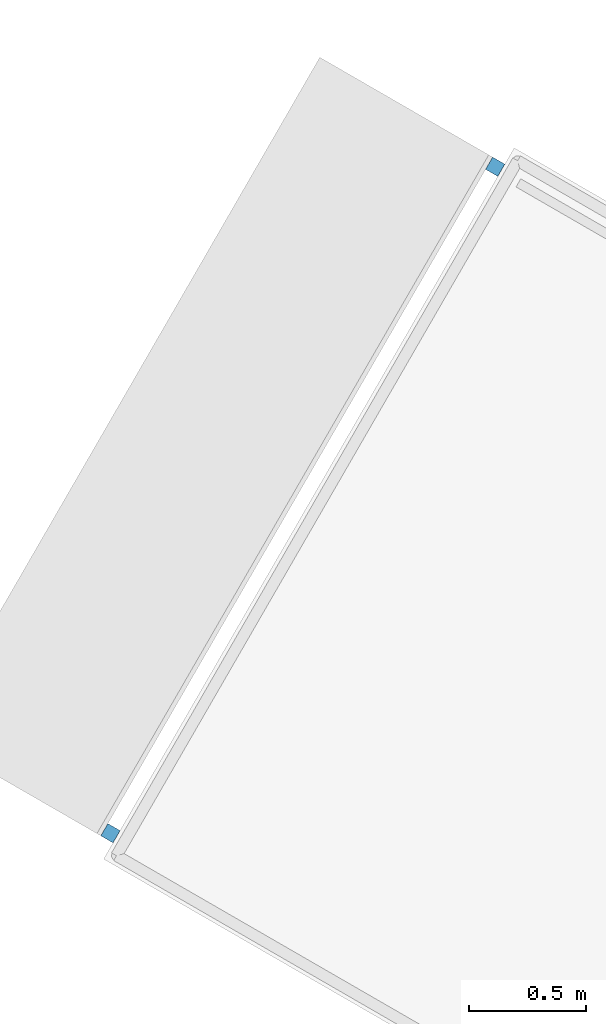
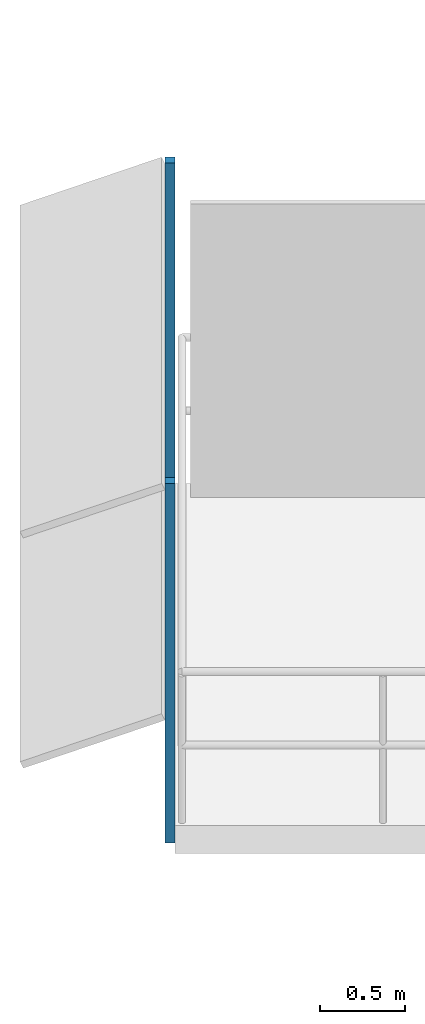
# One storey, part 11 of 14: 2 discrete accessories.
"""IFC4 building model written with IfcOpenShell, lengths in metres."""

import ifcopenshell
import ifcopenshell.guid

model = None  # the IFC model being written
_history = None  # IfcOwnerHistory: only IFC2X3 demands one
_inside = {}  # id of a spatial element -> (the spatial element, [elements in it])
_under = {}  # id of a project, library or spatial element -> (it, [spatial elements below it])
_declared = {}  # id of a project -> (the project, [libraries it declares])
_typed = {}  # id of a type object -> (the type object, [elements of that type])
_made_of = {}  # id of a material, layer set ... -> (it, [elements and type objects made of it])


def new_model(schema):
    """Start an empty IFC model of exactly this schema.

    Asked for "IFC4X3", IfcOpenShell would pick the latest addendum, in which some entities
    have other attributes; the version numbers below select the first issue.
    IFC2X3 requires an IfcOwnerHistory on every rooted entity: one is made here for all.
    """
    global model, _history
    if schema == "IFC4X3":
        model = ifcopenshell.file(schema_version=(4, 3, 0, 0))
    else:
        model = ifcopenshell.file(schema=schema)
    _inside.clear()
    _under.clear()
    _declared.clear()
    _typed.clear()
    _made_of.clear()
    _history = None
    if model.schema == "IFC2X3":
        org = make("IfcOrganization", Name="unknown")
        user = make(
            "IfcPersonAndOrganization",
            ThePerson=make("IfcPerson", FamilyName="unknown"),
            TheOrganization=org,
        )
        app = make(
            "IfcApplication",
            ApplicationDeveloper=org,
            Version="unknown",
            ApplicationFullName="unknown",
            ApplicationIdentifier="unknown",
        )
        _history = make(
            "IfcOwnerHistory",
            OwningUser=user,
            OwningApplication=app,
            ChangeAction="ADDED",
            CreationDate=0,
        )
    return model


def make(cls, **values):
    """One entity of the class cls with the attributes given. An attribute that is None is left unset."""
    return model.create_entity(
        cls, **{name: value for name, value in values.items() if value is not None}
    )


def rooted(cls, **values):
    """An entity with a GlobalId (a new one), such as an element, a storey or a relation."""
    return make(cls, GlobalId=ifcopenshell.guid.new(), OwnerHistory=_history, **values)


def si_unit(unit_type, name, prefix=None):
    """IfcSIUnit, for example si_unit("LENGTHUNIT", "METRE", prefix="MILLI")."""
    return make("IfcSIUnit", UnitType=unit_type, Prefix=prefix, Name=name)


def assignment(units):
    """IfcUnitAssignment: the units of a project."""
    return None if units is None else make("IfcUnitAssignment", Units=units)


def point(xyz):
    """IfcCartesianPoint."""
    return None if xyz is None else make("IfcCartesianPoint", Coordinates=xyz)


def direction(xyz):
    """IfcDirection."""
    return None if xyz is None else make("IfcDirection", DirectionRatios=xyz)


def frame(location, z_axis=None, x_axis=None):
    """IfcAxis2Placement3D, a coordinate frame: its origin and axes. An axis left out is left unset."""
    return make(
        "IfcAxis2Placement3D",
        Location=point(location),
        Axis=direction(z_axis),
        RefDirection=direction(x_axis),
    )


def frame_2d(location, x_axis=None):
    """IfcAxis2Placement2D, a coordinate frame in the plane: its origin and x axis."""
    return make(
        "IfcAxis2Placement2D", Location=point(location), RefDirection=direction(x_axis)
    )


def origin():
    """The frame at (0, 0, 0) with its axes left unset."""
    return frame((0.0, 0.0, 0.0))


def origin_2d():
    """The frame at (0, 0) in the plane with its x axis left unset."""
    return frame_2d((0.0, 0.0))


def place(relative_to, where):
    """IfcLocalPlacement: puts the frame where relative to a parent placement (None: the world)."""
    return make(
        "IfcLocalPlacement", PlacementRelTo=relative_to, RelativePlacement=where
    )


def context(
    kind, dimensions, precision=None, world=None, true_north=None, identifier=None
):
    """IfcGeometricRepresentationContext, for example the 3D "Model" context."""
    return make(
        "IfcGeometricRepresentationContext",
        ContextIdentifier=identifier,
        ContextType=kind,
        CoordinateSpaceDimension=dimensions,
        Precision=precision,
        WorldCoordinateSystem=world,
        TrueNorth=true_north,
    )


def subcontext(parent, identifier, kind, view, scale=None):
    """IfcGeometricRepresentationSubContext, for example "Body" below "Model"."""
    return make(
        "IfcGeometricRepresentationSubContext",
        ContextIdentifier=identifier,
        ContextType=kind,
        ParentContext=parent,
        TargetScale=scale,
        TargetView=view,
    )


def project(units=None, contexts=None):
    """IfcProject with its units and contexts."""
    return rooted(
        "IfcProject",
        Name="project",
        RepresentationContexts=contexts,
        UnitsInContext=assignment(units),
    )


def spatial(cls, under=None, at=None, **own):
    """A site, building, storey or space (cls), placed at a placement, below another one or the project."""
    s = rooted(cls, ObjectPlacement=at, **own)
    if under is not None:
        _under.setdefault(under.id(), (under, []))[1].append(s)
    return s


def profile(cls, at=None, kind="AREA", **sizes):
    """A parametric profile (cls). Its sizes go by their IFC names, for example OverallWidth=200.0."""
    return make(cls, ProfileType=kind, Position=at, **sizes)


def rectangle(**sizes):
    """IfcRectangleProfileDef."""
    return profile("IfcRectangleProfileDef", **sizes)


def extrude(swept, where, along, depth):
    """IfcExtrudedAreaSolid: the profile swept, set in the frame where, extruded along a direction by depth."""
    return make(
        "IfcExtrudedAreaSolid",
        SweptArea=swept,
        Position=where,
        ExtrudedDirection=direction(along),
        Depth=depth,
    )


def shape(context_of_items, identifier, shape_type, items):
    """IfcShapeRepresentation: the items that make up one representation, for example the "Body"."""
    return make(
        "IfcShapeRepresentation",
        ContextOfItems=context_of_items,
        RepresentationIdentifier=identifier,
        RepresentationType=shape_type,
        Items=items,
    )


def material(Name=None, Category=None):
    """IfcMaterial."""
    return make("IfcMaterial", Name=Name, Category=Category)


def made_of(thing, what):
    """Note that an element or type object is made of a material, layer set ...; save() writes the relation."""
    if what is not None:
        _made_of.setdefault(what.id(), (what, []))[1].append(thing)
    return thing


def type_object(cls, material=None, **own):
    """A type object (cls), such as IfcWallType, which elements share."""
    return made_of(rooted(cls, **own), material)


def element(
    cls,
    number,
    at=None,
    inside=None,
    cuts=None,
    type_object=None,
    material=None,
    context=None,
    identifier="Body",
    shape_type=None,
    held_by="IfcProductDefinitionShape",
    body=None,
    shapes=None,
    **own,
):
    """One element of the class cls, such as IfcWall. Its Tag is "e" and its number.

    at: its placement. inside: the storey or other place that contains it. cuts: it is an
    opening in that element (IfcRelVoidsElement). A single representation is given by context,
    identifier, shape_type and body (its items); several are given by shapes. held_by: the class
    of the entity that holds the representations. save() writes the other relations.
    """
    e = rooted(cls, Tag="e%d" % number, ObjectPlacement=at, **own)
    if body is not None:
        shapes = [shape(context, identifier, shape_type, body)]
    if shapes is not None:
        e.Representation = make(held_by, Representations=shapes)
    if inside is not None:
        _inside.setdefault(inside.id(), (inside, []))[1].append(e)
    if cuts is not None:
        rooted(
            "IfcRelVoidsElement", RelatingBuildingElement=cuts, RelatedOpeningElement=e
        )
    if type_object is not None:
        _typed.setdefault(type_object.id(), (type_object, []))[1].append(e)
    return made_of(e, material)


def aggregate(whole, parts):
    """IfcRelAggregates: a whole, such as a stair, and the parts it consists of."""
    return rooted("IfcRelAggregates", RelatingObject=whole, RelatedObjects=parts)


def save(model, path):
    """Write the relations noted so far, then the file.

    IfcRelAggregates (storeys below a building ...), IfcRelContainedInSpatialStructure (elements
    in a storey), IfcRelDefinesByType, IfcRelAssociatesMaterial and IfcRelDeclares: one each for
    every whole, place, type object, material and project.
    """
    for whole, parts in _under.values():
        aggregate(whole, parts)
    for where, things in _inside.values():
        rooted(
            "IfcRelContainedInSpatialStructure",
            RelatedElements=things,
            RelatingStructure=where,
        )
    for kind, things in _typed.values():
        rooted("IfcRelDefinesByType", RelatedObjects=things, RelatingType=kind)
    for what, things in _made_of.values():
        rooted("IfcRelAssociatesMaterial", RelatedObjects=things, RelatingMaterial=what)
    for by, libraries in _declared.values():
        rooted("IfcRelDeclares", RelatingContext=by, RelatedDefinitions=libraries)
    model.write(path)


model = new_model("IFC4")

# Units and contexts
model_context = context("Model", 3, precision=1e-05, world=origin(), true_north=direction((0.0, 1.0)))
body_context = subcontext(model_context, "Body", "Model", "MODEL_VIEW")
ifc_project = project(units=[si_unit("LENGTHUNIT", "METRE"), si_unit("AREAUNIT", "SQUARE_METRE"), si_unit("VOLUMEUNIT", "CUBIC_METRE"), si_unit("PLANEANGLEUNIT", "RADIAN"), si_unit("MASSUNIT", "GRAM", prefix="KILO")], contexts=[model_context])

# Site, building, storey
site_placement = place(None, origin())
site = spatial("IfcSite", under=ifc_project, at=site_placement, CompositionType="ELEMENT")
building_placement = place(site_placement, origin())
building = spatial("IfcBuilding", under=site, at=building_placement, Name="Nakaniwa Court", CompositionType="ELEMENT")
storey_placement = place(building_placement, frame((0.0, 0.0, 262.5)))
storey = spatial("IfcBuildingStorey", under=building, at=storey_placement, Name="L69", CompositionType="ELEMENT", Elevation=262.5)

# Discrete accessories
ifc_material = material(Name="Black powder-coated steel bracket S275", Category="steel")
discrete_accessory_type = type_object("IfcDiscreteAccessoryType", Name="Black metal louvre bracket", PredefinedType="BRACKET", material=ifc_material)
for number, where, z_axis, x_axis, name in (
    (1, (58.026611328125, 92.100830078125, -0.22998046875), (0.0, 0.0, 1.0), (-0.499986396443, -0.866033257659, 0.0), "L69 louvre bracket 01 1"),
    (2, (56.386962890625, 89.260986328125, -0.22998046875), (0.0, 0.0, 1.0), (-0.499986396443, -0.866033257659, 0.0), "L69 louvre bracket 01 2"),
):
    element("IfcDiscreteAccessory", number, at=place(storey_placement, frame(where, z_axis=z_axis, x_axis=x_axis)), inside=storey, type_object=discrete_accessory_type, Name=name, PredefinedType="BRACKET", context=body_context, shape_type="SweptSolid", body=[
        extrude(rectangle(XDim=0.06005859375, YDim=0.06005859375, at=origin_2d()), origin(), (0.0, 0.0, 1.0), 2.5751953125),
    ])

save(model, "model.ifc")
